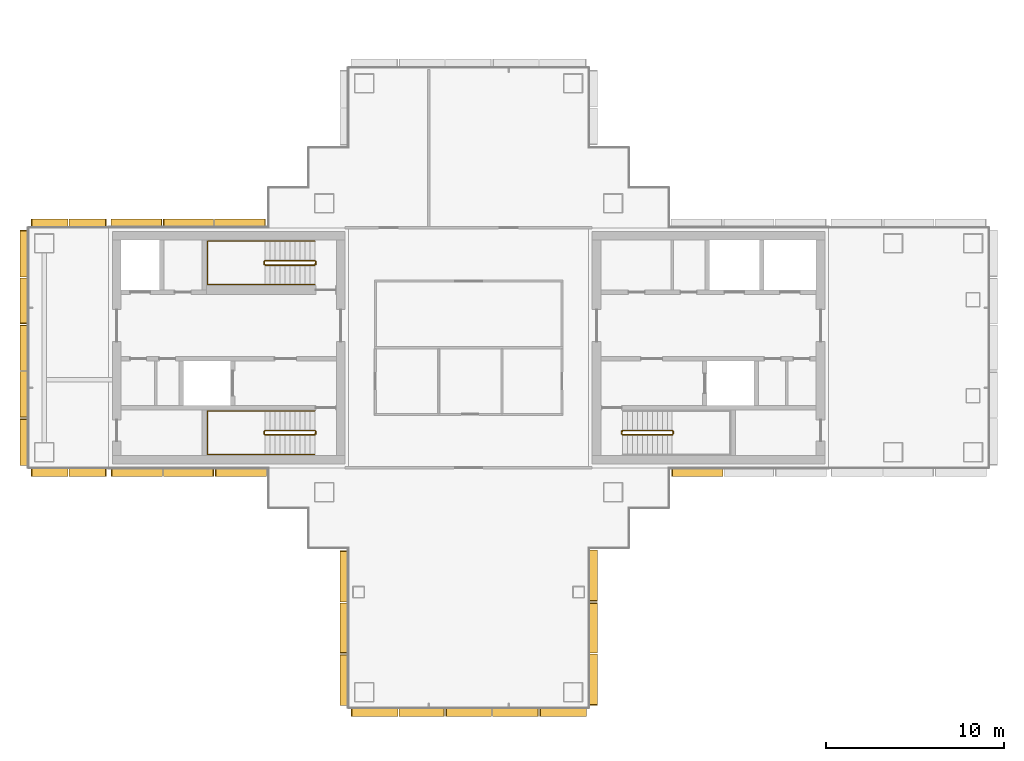
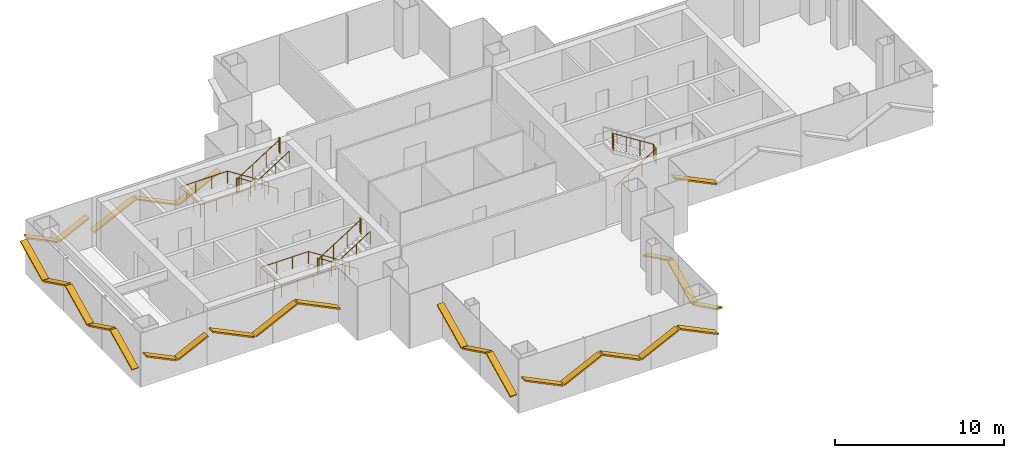
# One storey, part 14 of 16: 27 shading devices, 5 railings.
"""IFC4 building model written with IfcOpenShell, lengths in metres."""

from ifc_helpers import new_model, si_unit, direction, frame, origin, origin_2d, place, context, subcontext, project, spatial, rectangle, circle, extrude, material, material_profile, profile_set, type_object, element, save


model = new_model("IFC4")

# Units and contexts
model_context = context("Model", 3, precision=1e-05, world=origin(), true_north=direction((0.0, 1.0)))
body_context = subcontext(model_context, "Body", "Model", "MODEL_VIEW")
ifc_project = project(units=[si_unit("LENGTHUNIT", "METRE"), si_unit("AREAUNIT", "SQUARE_METRE"), si_unit("VOLUMEUNIT", "CUBIC_METRE"), si_unit("PLANEANGLEUNIT", "RADIAN"), si_unit("MASSUNIT", "GRAM", prefix="KILO")], contexts=[model_context])

# Site, building, storey
site_placement = place(None, origin())
site = spatial("IfcSite", under=ifc_project, at=site_placement, CompositionType="ELEMENT")
building_placement = place(site_placement, origin())
building = spatial("IfcBuilding", under=site, at=building_placement, Name="Shamsa Quay Exchange Towers", CompositionType="ELEMENT")
storey_placement = place(building_placement, frame((0.0, 0.0, 166.199951171875)))
storey = spatial("IfcBuildingStorey", under=building, at=storey_placement, Name="L39", CompositionType="ELEMENT", Elevation=166.199951171875)

# Shading devices
ifc_material_1 = material(Name="Aluminium EN AW-6063 T6, black anodised", Category="aluminium")
ifc_material_profile = material_profile(ifc_material_1, rectangle(XDim=0.449951171875, YDim=0.10009765625, at=origin_2d()), Name="FIN450x100")
ifc_profile_set = profile_set([ifc_material_profile], Name="Aluminium EN AW-6063 T6, black anodised")
shading_device_type = type_object("IfcShadingDeviceType", Name="FIN 450x100 BLACK ALUMINIUM", PredefinedType="USERDEFINED", material=ifc_profile_set)
shading_device_1_placement = place(storey_placement, frame((-40.764892578125, -11.43798828125, 2.2919921875), z_axis=(0.0, -0.898807091918, -0.438344398296), x_axis=(1.0, 0.0, 0.0)))
element("IfcShadingDevice", 1, at=shading_device_1_placement, inside=storey, type_object=shading_device_type, Name="FIN T1 chevron rib", ObjectType="FIN", PredefinedType="USERDEFINED", context=body_context, shape_type="SweptSolid", body=[
    extrude(rectangle(XDim=0.449951171875, YDim=0.10009765625, at=origin_2d()), origin(), (0.0, 0.0, 1.0), 3.15673828125),
])
shading_device_2_placement = place(storey_placement, frame((-40.764892578125, -14.375244140625, 0.92041015625), z_axis=(0.0, -0.898807785805, 0.438342975507), x_axis=(1.0, 0.0, 0.0)))
element("IfcShadingDevice", 2, at=shading_device_2_placement, inside=storey, type_object=shading_device_type, Name="FIN T1 chevron rib", ObjectType="FIN", PredefinedType="USERDEFINED", context=body_context, shape_type="SweptSolid", body=[
    extrude(rectangle(XDim=0.449951171875, YDim=0.10009765625, at=origin_2d()), origin(), (0.0, 0.0, 1.0), 3.10107421875),
])
shading_device_3_placement = place(storey_placement, frame((-40.764892578125, -17.2626953125, 2.2919921875), z_axis=(0.0, -0.898807091918, -0.438344398296), x_axis=(1.0, 0.0, 0.0)))
element("IfcShadingDevice", 3, at=shading_device_3_placement, inside=storey, type_object=shading_device_type, Name="FIN T1 chevron rib", ObjectType="FIN", PredefinedType="USERDEFINED", context=body_context, shape_type="SweptSolid", body=[
    extrude(rectangle(XDim=0.449951171875, YDim=0.10009765625, at=origin_2d()), origin(), (0.0, 0.0, 1.0), 3.15673828125),
])
shading_device_4_placement = place(storey_placement, frame((-40.35009765625, -20.514892578125, 2.231689453125), z_axis=(0.898805897141, 0.0, -0.43834684813), x_axis=(0.0, 1.0, 0.0)))
element("IfcShadingDevice", 4, at=shading_device_4_placement, inside=storey, type_object=shading_device_type, Name="FIN T1 chevron rib", ObjectType="FIN", PredefinedType="USERDEFINED", context=body_context, shape_type="SweptSolid", body=[
    extrude(rectangle(XDim=0.449951171875, YDim=0.10009765625, at=origin_2d()), origin(), (0.0, 0.0, 1.0), 2.881591796875),
])
shading_device_5_placement = place(storey_placement, frame((-37.659912109375, -20.514892578125, 0.980712890625), z_axis=(0.898790033474, 0.0, 0.438379374204), x_axis=(0.0, 1.0, 0.0)))
element("IfcShadingDevice", 5, at=shading_device_5_placement, inside=storey, type_object=shading_device_type, Name="FIN T1 chevron rib", ObjectType="FIN", PredefinedType="USERDEFINED", context=body_context, shape_type="SweptSolid", body=[
    extrude(rectangle(XDim=0.449951171875, YDim=0.10009765625, at=origin_2d()), origin(), (0.0, 0.0, 1.0), 2.82568359375),
])
shading_device_6_placement = place(storey_placement, frame((-35.02001953125, -20.514892578125, 2.219482421875), z_axis=(0.898806635049, 0.0, -0.438345335086), x_axis=(0.0, 1.0, 0.0)))
element("IfcShadingDevice", 6, at=shading_device_6_placement, inside=storey, type_object=shading_device_type, Name="FIN T1 chevron rib", ObjectType="FIN", PredefinedType="USERDEFINED", context=body_context, shape_type="SweptSolid", body=[
    extrude(rectangle(XDim=0.449951171875, YDim=0.10009765625, at=origin_2d()), origin(), (0.0, 0.0, 1.0), 2.825927734375),
])
shading_device_7_placement = place(storey_placement, frame((-32.3798828125, -20.514892578125, 0.980712890625), z_axis=(0.898790033474, 0.0, 0.438379374204), x_axis=(0.0, 1.0, 0.0)))
element("IfcShadingDevice", 7, at=shading_device_7_placement, inside=storey, type_object=shading_device_type, Name="FIN T1 chevron rib", ObjectType="FIN", PredefinedType="USERDEFINED", context=body_context, shape_type="SweptSolid", body=[
    extrude(rectangle(XDim=0.449951171875, YDim=0.10009765625, at=origin_2d()), origin(), (0.0, 0.0, 1.0), 2.82568359375),
])
shading_device_8_placement = place(storey_placement, frame((-29.739990234375, -20.514892578125, 2.231689453125), z_axis=(0.898805897141, 0.0, -0.43834684813), x_axis=(0.0, 1.0, 0.0)))
element("IfcShadingDevice", 8, at=shading_device_8_placement, inside=storey, type_object=shading_device_type, Name="FIN T1 chevron rib", ObjectType="FIN", PredefinedType="USERDEFINED", context=body_context, shape_type="SweptSolid", body=[
    extrude(rectangle(XDim=0.449951171875, YDim=0.10009765625, at=origin_2d()), origin(), (0.0, 0.0, 1.0), 2.881591796875),
])
shading_device_9_placement = place(storey_placement, frame((-26.735107421875, -20.10009765625, 2.295166015625), z_axis=(0.0, 0.898787683167, -0.438384192903), x_axis=(-1.0, 0.0, 0.0)))
element("IfcShadingDevice", 9, at=shading_device_9_placement, inside=storey, type_object=shading_device_type, Name="FIN T1 chevron rib", ObjectType="FIN", PredefinedType="USERDEFINED", context=body_context, shape_type="SweptSolid", body=[
    extrude(rectangle(XDim=0.449951171875, YDim=0.10009765625, at=origin_2d()), origin(), (0.0, 0.0, 1.0), 3.171142578125),
])
shading_device_10_placement = place(storey_placement, frame((-26.735107421875, -17.14990234375, 0.917236328125), z_axis=(0.0, 0.898772964899, 0.438414367427), x_axis=(-1.0, 0.0, 0.0)))
element("IfcShadingDevice", 10, at=shading_device_10_placement, inside=storey, type_object=shading_device_type, Name="FIN T1 chevron rib", ObjectType="FIN", PredefinedType="USERDEFINED", context=body_context, shape_type="SweptSolid", body=[
    extrude(rectangle(XDim=0.449951171875, YDim=0.10009765625, at=origin_2d()), origin(), (0.0, 0.0, 1.0), 3.115234375),
])
shading_device_11_placement = place(storey_placement, frame((-26.735107421875, -14.25, 2.295166015625), z_axis=(0.0, 0.898787683167, -0.438384192903), x_axis=(-1.0, 0.0, 0.0)))
element("IfcShadingDevice", 11, at=shading_device_11_placement, inside=storey, type_object=shading_device_type, Name="FIN T1 chevron rib", ObjectType="FIN", PredefinedType="USERDEFINED", context=body_context, shape_type="SweptSolid", body=[
    extrude(rectangle(XDim=0.449951171875, YDim=0.10009765625, at=origin_2d()), origin(), (0.0, 0.0, 1.0), 3.171142578125),
])
for number, where, z_axis, x_axis, name in (
    (12, (-22.31201171875, -7.01904296875, 2.2919921875), (0.898807091918, 0.0, -0.438344398296), (0.0, 1.0, 0.0), "FIN T1 chevron rib"),
    (13, (-45.18798828125, 7.01904296875, 2.2919921875), (-0.898807091918, 0.0, -0.438344398296), (0.0, -1.0, 0.0), "FIN T1 chevron rib"),
):
    element("IfcShadingDevice", number, at=place(storey_placement, frame(where, z_axis=z_axis, x_axis=x_axis)), inside=storey, type_object=shading_device_type, Name=name, ObjectType="FIN", PredefinedType="USERDEFINED", context=body_context, shape_type="SweptSolid", body=[
        extrude(rectangle(XDim=0.449951171875, YDim=0.10009765625, at=origin_2d()), origin(), (0.0, 0.0, 1.0), 3.15673828125),
    ])
shading_device_12_placement = place(storey_placement, frame((-48.125244140625, 7.01904296875, 0.92041015625), z_axis=(-0.898807785805, 0.0, 0.438342975507), x_axis=(0.0, -1.0, 0.0)))
element("IfcShadingDevice", 14, at=shading_device_12_placement, inside=storey, type_object=shading_device_type, Name="FIN T1 chevron rib", ObjectType="FIN", PredefinedType="USERDEFINED", context=body_context, shape_type="SweptSolid", body=[
    extrude(rectangle(XDim=0.449951171875, YDim=0.10009765625, at=origin_2d()), origin(), (0.0, 0.0, 1.0), 3.10107421875),
])
shading_device_13_placement = place(storey_placement, frame((-51.0126953125, 7.01904296875, 2.2919921875), z_axis=(-0.898807091918, 0.0, -0.438344398296), x_axis=(0.0, -1.0, 0.0)))
element("IfcShadingDevice", 15, at=shading_device_13_placement, inside=storey, type_object=shading_device_type, Name="FIN T1 chevron rib", ObjectType="FIN", PredefinedType="USERDEFINED", context=body_context, shape_type="SweptSolid", body=[
    extrude(rectangle(XDim=0.449951171875, YDim=0.10009765625, at=origin_2d()), origin(), (0.0, 0.0, 1.0), 3.15673828125),
])
for number, where, z_axis, x_axis, name in (
    (16, (-54.14990234375, 7.014892578125, 2.099853515625), (-0.898814733754, 0.0, -0.43832872868), (0.0, -1.0, 0.0), "FIN T1 chevron rib"),
    (17, (-56.300048828125, 7.014892578125, 1.10009765625), (-0.898814733754, 0.0, 0.43832872868), (0.0, -1.0, 0.0), "FIN T1 chevron rib"),
):
    element("IfcShadingDevice", number, at=place(storey_placement, frame(where, z_axis=z_axis, x_axis=x_axis)), inside=storey, type_object=shading_device_type, Name=name, ObjectType="FIN", PredefinedType="USERDEFINED", context=body_context, shape_type="SweptSolid", body=[
        extrude(rectangle(XDim=0.449951171875, YDim=0.10009765625, at=origin_2d()), origin(), (0.0, 0.0, 1.0), 2.28076171875),
    ])
shading_device_14_placement = place(storey_placement, frame((-58.764892578125, 6.60009765625, 2.231689453125), z_axis=(0.0, -0.898805897141, -0.43834684813), x_axis=(1.0, 0.0, 0.0)))
element("IfcShadingDevice", 18, at=shading_device_14_placement, inside=storey, type_object=shading_device_type, Name="FIN T1 chevron rib", ObjectType="FIN", PredefinedType="USERDEFINED", context=body_context, shape_type="SweptSolid", body=[
    extrude(rectangle(XDim=0.449951171875, YDim=0.10009765625, at=origin_2d()), origin(), (0.0, 0.0, 1.0), 2.881591796875),
])
shading_device_15_placement = place(storey_placement, frame((-58.764892578125, 3.909912109375, 0.980712890625), z_axis=(0.0, -0.898790033474, 0.438379374204), x_axis=(1.0, 0.0, 0.0)))
element("IfcShadingDevice", 19, at=shading_device_15_placement, inside=storey, type_object=shading_device_type, Name="FIN T1 chevron rib", ObjectType="FIN", PredefinedType="USERDEFINED", context=body_context, shape_type="SweptSolid", body=[
    extrude(rectangle(XDim=0.449951171875, YDim=0.10009765625, at=origin_2d()), origin(), (0.0, 0.0, 1.0), 2.82568359375),
])
shading_device_16_placement = place(storey_placement, frame((-58.764892578125, 1.27001953125, 2.219482421875), z_axis=(0.0, -0.898806635049, -0.438345335086), x_axis=(1.0, 0.0, 0.0)))
element("IfcShadingDevice", 20, at=shading_device_16_placement, inside=storey, type_object=shading_device_type, Name="FIN T1 chevron rib", ObjectType="FIN", PredefinedType="USERDEFINED", context=body_context, shape_type="SweptSolid", body=[
    extrude(rectangle(XDim=0.449951171875, YDim=0.10009765625, at=origin_2d()), origin(), (0.0, 0.0, 1.0), 2.825927734375),
])
shading_device_17_placement = place(storey_placement, frame((-58.764892578125, -1.3701171875, 0.980712890625), z_axis=(0.0, -0.898790033474, 0.438379374204), x_axis=(1.0, 0.0, 0.0)))
element("IfcShadingDevice", 21, at=shading_device_17_placement, inside=storey, type_object=shading_device_type, Name="FIN T1 chevron rib", ObjectType="FIN", PredefinedType="USERDEFINED", context=body_context, shape_type="SweptSolid", body=[
    extrude(rectangle(XDim=0.449951171875, YDim=0.10009765625, at=origin_2d()), origin(), (0.0, 0.0, 1.0), 2.82568359375),
])
shading_device_18_placement = place(storey_placement, frame((-58.764892578125, -4.010009765625, 2.231689453125), z_axis=(0.0, -0.898805897141, -0.43834684813), x_axis=(1.0, 0.0, 0.0)))
element("IfcShadingDevice", 22, at=shading_device_18_placement, inside=storey, type_object=shading_device_type, Name="FIN T1 chevron rib", ObjectType="FIN", PredefinedType="USERDEFINED", context=body_context, shape_type="SweptSolid", body=[
    extrude(rectangle(XDim=0.449951171875, YDim=0.10009765625, at=origin_2d()), origin(), (0.0, 0.0, 1.0), 2.881591796875),
])
for number, where, z_axis, x_axis, name in (
    (23, (-58.35009765625, -7.014892578125, 2.099853515625), (0.898814733754, 0.0, -0.43832872868), (0.0, 1.0, 0.0), "FIN T1 chevron rib"),
    (24, (-56.199951171875, -7.014892578125, 1.10009765625), (0.898814733754, 0.0, 0.43832872868), (0.0, 1.0, 0.0), "FIN T1 chevron rib"),
):
    element("IfcShadingDevice", number, at=place(storey_placement, frame(where, z_axis=z_axis, x_axis=x_axis)), inside=storey, type_object=shading_device_type, Name=name, ObjectType="FIN", PredefinedType="USERDEFINED", context=body_context, shape_type="SweptSolid", body=[
        extrude(rectangle(XDim=0.449951171875, YDim=0.10009765625, at=origin_2d()), origin(), (0.0, 0.0, 1.0), 2.28076171875),
    ])
shading_device_19_placement = place(storey_placement, frame((-53.85009765625, -7.01904296875, 2.295166015625), z_axis=(0.898787683167, 0.0, -0.438384192903), x_axis=(0.0, 1.0, 0.0)))
element("IfcShadingDevice", 25, at=shading_device_19_placement, inside=storey, type_object=shading_device_type, Name="FIN T1 chevron rib", ObjectType="FIN", PredefinedType="USERDEFINED", context=body_context, shape_type="SweptSolid", body=[
    extrude(rectangle(XDim=0.449951171875, YDim=0.10009765625, at=origin_2d()), origin(), (0.0, 0.0, 1.0), 3.171142578125),
])
shading_device_20_placement = place(storey_placement, frame((-50.89990234375, -7.01904296875, 0.917236328125), z_axis=(0.898772964899, 0.0, 0.438414367427), x_axis=(0.0, 1.0, 0.0)))
element("IfcShadingDevice", 26, at=shading_device_20_placement, inside=storey, type_object=shading_device_type, Name="FIN T1 chevron rib", ObjectType="FIN", PredefinedType="USERDEFINED", context=body_context, shape_type="SweptSolid", body=[
    extrude(rectangle(XDim=0.449951171875, YDim=0.10009765625, at=origin_2d()), origin(), (0.0, 0.0, 1.0), 3.115234375),
])
shading_device_21_placement = place(storey_placement, frame((-48.0, -7.01904296875, 2.295166015625), z_axis=(0.898787683167, 0.0, -0.438384192903), x_axis=(0.0, 1.0, 0.0)))
element("IfcShadingDevice", 27, at=shading_device_21_placement, inside=storey, type_object=shading_device_type, Name="FIN T1 chevron rib", ObjectType="FIN", PredefinedType="USERDEFINED", context=body_context, shape_type="SweptSolid", body=[
    extrude(rectangle(XDim=0.449951171875, YDim=0.10009765625, at=origin_2d()), origin(), (0.0, 0.0, 1.0), 3.171142578125),
])

# Railings
ifc_material_2 = material(Name="Stainless steel", Category="steel")
railing_type_1 = type_object("IfcRailingType", Name="STAIR GUARD 1100", PredefinedType="GUARDRAIL", material=ifc_material_2)
railing_1_placement = place(storey_placement, frame((-25.10009765625, -4.89990234375, 0.17724609375)))
element("IfcRailing", 28, at=railing_1_placement, inside=storey, type_object=railing_type_1, Name="L39 ST1 stair guard 1", PredefinedType="GUARDRAIL", context=body_context, shape_type="SweptSolid", body=[
    extrude(circle(Radius=0.02392578125, at=origin_2d()), frame((0.0, 0.0, 1.076171875), z_axis=(0.844908973607, 0.0, 0.534910110503), x_axis=(0.0, 1.0, 0.0)), (0.0, 0.0, 1.0), 3.31396484375),
    extrude(circle(Radius=0.02392578125, at=origin_2d()), frame((2.800048828125, 0.0, 2.8486328125), z_axis=(0.708833529934, 0.705375805398, 0.0), x_axis=(-0.705375805398, 0.708833529934, 0.0)), (0.0, 0.0, 1.0), 0.070556640625),
    extrude(circle(Radius=0.02392578125, at=origin_2d()), frame((2.85009765625, 0.0498046875, 2.8486328125), z_axis=(0.0, 1.0, 0.0), x_axis=(-1.0, 0.0, 0.0)), (0.0, 0.0, 1.0), 0.150146484375),
    extrude(circle(Radius=0.02392578125, at=origin_2d()), frame((2.85009765625, 0.199951171875, 2.8486328125), z_axis=(-0.261922500866, 0.261922500866, 0.928866625022), x_axis=(-0.707106781187, -0.707106781187, 0.0)), (0.0, 0.0, 1.0), 0.191162109375),
    extrude(circle(Radius=0.02392578125, at=origin_2d()), frame((2.800048828125, 0.25, 3.0263671875), z_axis=(-0.844908973607, 0.0, 0.534910110503), x_axis=(0.0, -1.0, 0.0)), (0.0, 0.0, 1.0), 3.31396484375),
    extrude(circle(Radius=0.02392578125, at=origin_2d()), frame((0.0, 0.25, 4.798828125), z_axis=(-0.24142163986, -0.970420317083, 0.0), x_axis=(0.970420317083, -0.24142163986, 0.0)), (0.0, 0.0, 1.0), 0.206298828125),
    extrude(circle(Radius=0.02392578125, at=origin_2d()), frame((-0.0498046875, 0.0498046875, 4.798828125), z_axis=(0.0, 1.0, 0.0), x_axis=(-1.0, 0.0, 0.0)), (0.0, 0.0, 1.0), 0.150146484375),
    extrude(circle(Radius=0.02099609375, at=origin_2d()), origin(), (0.0, 0.0, 1.0), 1.052001953125),
    extrude(circle(Radius=0.02099609375, at=origin_2d()), frame((0.933349609375, 0.0, 0.5908203125)), (0.0, 0.0, 1.0), 1.052001953125),
    extrude(circle(Radius=0.02099609375, at=origin_2d()), frame((1.86669921875, 0.0, 1.181884765625)), (0.0, 0.0, 1.0), 1.052001953125),
    extrude(circle(Radius=0.02099609375, at=origin_2d()), frame((2.800048828125, 0.0, 1.772705078125)), (0.0, 0.0, 1.0), 1.052001953125),
    extrude(circle(Radius=0.02099609375, at=origin_2d()), frame((2.85009765625, 0.0498046875, 1.772705078125)), (0.0, 0.0, 1.0), 1.052001953125),
    extrude(circle(Radius=0.02099609375, at=origin_2d()), frame((2.85009765625, 0.199951171875, 1.772705078125)), (0.0, 0.0, 1.0), 1.052001953125),
    extrude(circle(Radius=0.02099609375, at=origin_2d()), frame((2.800048828125, 0.25, 1.9501953125)), (0.0, 0.0, 1.0), 1.052001953125),
    extrude(circle(Radius=0.02099609375, at=origin_2d()), frame((1.86669921875, 0.25, 2.541015625)), (0.0, 0.0, 1.0), 1.052001953125),
    extrude(circle(Radius=0.02099609375, at=origin_2d()), frame((0.933349609375, 0.25, 3.132080078125)), (0.0, 0.0, 1.0), 1.052001953125),
    extrude(circle(Radius=0.02099609375, at=origin_2d()), frame((0.0, 0.25, 3.722900390625)), (0.0, 0.0, 1.0), 1.052001953125),
    extrude(circle(Radius=0.02099609375, at=origin_2d()), frame((-0.0498046875, 0.0498046875, 3.722900390625)), (0.0, 0.0, 1.0), 1.052001953125),
    extrude(circle(Radius=0.02099609375, at=origin_2d()), frame((-0.0498046875, 0.199951171875, 3.722900390625)), (0.0, 0.0, 1.0), 1.052001953125),
])
railing_2_placement = place(storey_placement, frame((-42.39990234375, -4.64990234375, 0.17724609375)))
element("IfcRailing", 29, at=railing_2_placement, inside=storey, type_object=railing_type_1, Name="L39 ST2 stair guard 1", PredefinedType="GUARDRAIL", context=body_context, shape_type="SweptSolid", body=[
    extrude(circle(Radius=0.02392578125, at=origin_2d()), frame((0.0, 0.0, 1.076171875), z_axis=(-0.844908973607, 0.0, 0.534910110503), x_axis=(0.0, -1.0, 0.0)), (0.0, 0.0, 1.0), 3.31396484375),
    extrude(circle(Radius=0.02392578125, at=origin_2d()), frame((-2.800048828125, 0.0, 2.8486328125), z_axis=(-0.707106781187, -0.707106781187, 0.0), x_axis=(0.707106781187, -0.707106781187, 0.0)), (0.0, 0.0, 1.0), 0.07080078125),
    extrude(circle(Radius=0.02392578125, at=origin_2d()), frame((-2.85009765625, -0.050048828125, 2.8486328125), z_axis=(0.0, -1.0, 0.0), x_axis=(1.0, 0.0, 0.0)), (0.0, 0.0, 1.0), 0.150146484375),
    extrude(circle(Radius=0.02392578125, at=origin_2d()), frame((-2.85009765625, -0.2001953125, 2.8486328125), z_axis=(0.262009983441, -0.260731885961, 0.929176868105), x_axis=(0.705375805398, 0.708833529934, 0.0)), (0.0, 0.0, 1.0), 0.19091796875),
    extrude(circle(Radius=0.02392578125, at=origin_2d()), frame((-2.800048828125, -0.25, 3.0263671875), z_axis=(0.844908973607, 0.0, 0.534910110503), x_axis=(0.0, 1.0, 0.0)), (0.0, 0.0, 1.0), 3.31396484375),
    extrude(circle(Radius=0.02392578125, at=origin_2d()), frame((0.0, -0.25, 4.798828125), z_axis=(0.241699205484, 0.970351222016, 0.0), x_axis=(-0.970351222016, 0.241699205484, 0.0)), (0.0, 0.0, 1.0), 0.2060546875),
    extrude(circle(Radius=0.02392578125, at=origin_2d()), frame((0.0498046875, -0.050048828125, 4.798828125), z_axis=(0.0, -1.0, 0.0), x_axis=(1.0, 0.0, 0.0)), (0.0, 0.0, 1.0), 0.150146484375),
    extrude(circle(Radius=0.02099609375, at=origin_2d()), origin(), (0.0, 0.0, 1.0), 1.052001953125),
    extrude(circle(Radius=0.02099609375, at=origin_2d()), frame((-0.933349609375, 0.0, 0.5908203125)), (0.0, 0.0, 1.0), 1.052001953125),
    extrude(circle(Radius=0.02099609375, at=origin_2d()), frame((-1.86669921875, 0.0, 1.181884765625)), (0.0, 0.0, 1.0), 1.052001953125),
    extrude(circle(Radius=0.02099609375, at=origin_2d()), frame((-2.800048828125, 0.0, 1.772705078125)), (0.0, 0.0, 1.0), 1.052001953125),
    extrude(circle(Radius=0.02099609375, at=origin_2d()), frame((-2.85009765625, -0.050048828125, 1.772705078125)), (0.0, 0.0, 1.0), 1.052001953125),
    extrude(circle(Radius=0.02099609375, at=origin_2d()), frame((-2.85009765625, -0.2001953125, 1.772705078125)), (0.0, 0.0, 1.0), 1.052001953125),
    extrude(circle(Radius=0.02099609375, at=origin_2d()), frame((-2.800048828125, -0.25, 1.9501953125)), (0.0, 0.0, 1.0), 1.052001953125),
    extrude(circle(Radius=0.02099609375, at=origin_2d()), frame((-1.86669921875, -0.25, 2.541015625)), (0.0, 0.0, 1.0), 1.052001953125),
    extrude(circle(Radius=0.02099609375, at=origin_2d()), frame((-0.933349609375, -0.25, 3.132080078125)), (0.0, 0.0, 1.0), 1.052001953125),
    extrude(circle(Radius=0.02099609375, at=origin_2d()), frame((0.0, -0.25, 3.722900390625)), (0.0, 0.0, 1.0), 1.052001953125),
    extrude(circle(Radius=0.02099609375, at=origin_2d()), frame((0.0498046875, -0.050048828125, 3.722900390625)), (0.0, 0.0, 1.0), 1.052001953125),
    extrude(circle(Radius=0.02099609375, at=origin_2d()), frame((0.0498046875, -0.2001953125, 3.722900390625)), (0.0, 0.0, 1.0), 1.052001953125),
])
railing_3_placement = place(storey_placement, frame((-42.39990234375, 4.89990234375, 0.17724609375)))
element("IfcRailing", 30, at=railing_3_placement, inside=storey, type_object=railing_type_1, Name="L39 ST3 stair guard 1", PredefinedType="GUARDRAIL", context=body_context, shape_type="SweptSolid", body=[
    extrude(circle(Radius=0.02392578125, at=origin_2d()), frame((0.0, 0.0, 1.076171875), z_axis=(-0.844908973607, 0.0, 0.534910110503), x_axis=(0.0, -1.0, 0.0)), (0.0, 0.0, 1.0), 3.31396484375),
    extrude(circle(Radius=0.02392578125, at=origin_2d()), frame((-2.800048828125, 0.0, 2.8486328125), z_axis=(-0.708833529934, -0.705375805398, 0.0), x_axis=(0.705375805398, -0.708833529934, 0.0)), (0.0, 0.0, 1.0), 0.070556640625),
    extrude(circle(Radius=0.02392578125, at=origin_2d()), frame((-2.85009765625, -0.0498046875, 2.8486328125), z_axis=(0.0, -1.0, 0.0), x_axis=(1.0, 0.0, 0.0)), (0.0, 0.0, 1.0), 0.150146484375),
    extrude(circle(Radius=0.02392578125, at=origin_2d()), frame((-2.85009765625, -0.199951171875, 2.8486328125), z_axis=(0.261922500866, -0.261922500866, 0.928866625022), x_axis=(0.707106781187, 0.707106781187, 0.0)), (0.0, 0.0, 1.0), 0.191162109375),
    extrude(circle(Radius=0.02392578125, at=origin_2d()), frame((-2.800048828125, -0.25, 3.0263671875), z_axis=(0.844908973607, 0.0, 0.534910110503), x_axis=(0.0, 1.0, 0.0)), (0.0, 0.0, 1.0), 3.31396484375),
    extrude(circle(Radius=0.02392578125, at=origin_2d()), frame((0.0, -0.25, 4.798828125), z_axis=(0.24142163986, 0.970420317083, 0.0), x_axis=(-0.970420317083, 0.24142163986, 0.0)), (0.0, 0.0, 1.0), 0.206298828125),
    extrude(circle(Radius=0.02392578125, at=origin_2d()), frame((0.0498046875, -0.0498046875, 4.798828125), z_axis=(0.0, -1.0, 0.0), x_axis=(1.0, 0.0, 0.0)), (0.0, 0.0, 1.0), 0.150146484375),
    extrude(circle(Radius=0.02099609375, at=origin_2d()), origin(), (0.0, 0.0, 1.0), 1.052001953125),
    extrude(circle(Radius=0.02099609375, at=origin_2d()), frame((-0.933349609375, 0.0, 0.5908203125)), (0.0, 0.0, 1.0), 1.052001953125),
    extrude(circle(Radius=0.02099609375, at=origin_2d()), frame((-1.86669921875, 0.0, 1.181884765625)), (0.0, 0.0, 1.0), 1.052001953125),
    extrude(circle(Radius=0.02099609375, at=origin_2d()), frame((-2.800048828125, 0.0, 1.772705078125)), (0.0, 0.0, 1.0), 1.052001953125),
    extrude(circle(Radius=0.02099609375, at=origin_2d()), frame((-2.85009765625, -0.0498046875, 1.772705078125)), (0.0, 0.0, 1.0), 1.052001953125),
    extrude(circle(Radius=0.02099609375, at=origin_2d()), frame((-2.85009765625, -0.199951171875, 1.772705078125)), (0.0, 0.0, 1.0), 1.052001953125),
    extrude(circle(Radius=0.02099609375, at=origin_2d()), frame((-2.800048828125, -0.25, 1.9501953125)), (0.0, 0.0, 1.0), 1.052001953125),
    extrude(circle(Radius=0.02099609375, at=origin_2d()), frame((-1.86669921875, -0.25, 2.541015625)), (0.0, 0.0, 1.0), 1.052001953125),
    extrude(circle(Radius=0.02099609375, at=origin_2d()), frame((-0.933349609375, -0.25, 3.132080078125)), (0.0, 0.0, 1.0), 1.052001953125),
    extrude(circle(Radius=0.02099609375, at=origin_2d()), frame((0.0, -0.25, 3.722900390625)), (0.0, 0.0, 1.0), 1.052001953125),
    extrude(circle(Radius=0.02099609375, at=origin_2d()), frame((0.0498046875, -0.0498046875, 3.722900390625)), (0.0, 0.0, 1.0), 1.052001953125),
    extrude(circle(Radius=0.02099609375, at=origin_2d()), frame((0.0498046875, -0.199951171875, 3.722900390625)), (0.0, 0.0, 1.0), 1.052001953125),
])
railing_type_2 = type_object("IfcRailingType", Name="STAIR HANDRAIL 900", PredefinedType="HANDRAIL", material=ifc_material_2)
railing_4_placement = place(storey_placement, frame((-42.39990234375, -3.550048828125, 0.17724609375)))
element("IfcRailing", 31, at=railing_4_placement, inside=storey, type_object=railing_type_2, Name="L39 ST2 stair handrail 1", PredefinedType="HANDRAIL", context=body_context, shape_type="SweptSolid", body=[
    extrude(circle(Radius=0.02392578125, at=origin_2d()), frame((0.0, 0.0, 0.8759765625), z_axis=(-0.844908973607, 0.0, 0.534910110503), x_axis=(0.0, -1.0, 0.0)), (0.0, 0.0, 1.0), 3.31396484375),
    extrude(circle(Radius=0.02392578125, at=origin_2d()), frame((-2.800048828125, 0.0, 2.6484375), z_axis=(-1.0, 0.0, 0.0), x_axis=(0.0, -1.0, 0.0)), (0.0, 0.0, 1.0), 3.25),
    extrude(circle(Radius=0.02392578125, at=origin_2d()), frame((-6.050048828125, 0.0, 2.6484375), z_axis=(0.0, -0.997386041853, 0.072257065513), x_axis=(1.0, 0.0, 0.0)), (0.0, 0.0, 1.0), 2.456298828125),
    extrude(circle(Radius=0.02392578125, at=origin_2d()), frame((-6.050048828125, -2.449951171875, 2.826171875), z_axis=(1.0, 0.0, 0.0), x_axis=(0.0, 1.0, 0.0)), (0.0, 0.0, 1.0), 3.25),
    extrude(circle(Radius=0.02392578125, at=origin_2d()), frame((-2.800048828125, -2.449951171875, 2.826171875), z_axis=(0.844908973607, 0.0, 0.534910110503), x_axis=(0.0, 1.0, 0.0)), (0.0, 0.0, 1.0), 3.31396484375),
    extrude(circle(Radius=0.02099609375, at=origin_2d()), origin(), (0.0, 0.0, 1.0), 0.851806640625),
    extrude(circle(Radius=0.02099609375, at=origin_2d()), frame((-0.933349609375, 0.0, 0.5908203125)), (0.0, 0.0, 1.0), 0.851806640625),
    extrude(circle(Radius=0.02099609375, at=origin_2d()), frame((-1.86669921875, 0.0, 1.181884765625)), (0.0, 0.0, 1.0), 0.851806640625),
    extrude(circle(Radius=0.02099609375, at=origin_2d()), frame((-2.800048828125, 0.0, 1.772705078125)), (0.0, 0.0, 1.0), 0.851806640625),
    extrude(circle(Radius=0.02099609375, at=origin_2d()), frame((-3.88330078125, 0.0, 1.772705078125)), (0.0, 0.0, 1.0), 0.851806640625),
    extrude(circle(Radius=0.02099609375, at=origin_2d()), frame((-4.966796875, 0.0, 1.772705078125)), (0.0, 0.0, 1.0), 0.851806640625),
    extrude(circle(Radius=0.02099609375, at=origin_2d()), frame((-6.050048828125, 0.0, 1.772705078125)), (0.0, 0.0, 1.0), 0.851806640625),
    extrude(circle(Radius=0.02099609375, at=origin_2d()), frame((-6.050048828125, -0.816650390625, 1.831787109375)), (0.0, 0.0, 1.0), 0.851806640625),
    extrude(circle(Radius=0.02099609375, at=origin_2d()), frame((-6.050048828125, -1.63330078125, 1.89111328125)), (0.0, 0.0, 1.0), 0.851806640625),
    extrude(circle(Radius=0.02099609375, at=origin_2d()), frame((-6.050048828125, -2.449951171875, 1.9501953125)), (0.0, 0.0, 1.0), 0.851806640625),
    extrude(circle(Radius=0.02099609375, at=origin_2d()), frame((-4.966796875, -2.449951171875, 1.9501953125)), (0.0, 0.0, 1.0), 0.851806640625),
    extrude(circle(Radius=0.02099609375, at=origin_2d()), frame((-3.88330078125, -2.449951171875, 1.9501953125)), (0.0, 0.0, 1.0), 0.851806640625),
    extrude(circle(Radius=0.02099609375, at=origin_2d()), frame((-2.800048828125, -2.449951171875, 1.9501953125)), (0.0, 0.0, 1.0), 0.851806640625),
    extrude(circle(Radius=0.02099609375, at=origin_2d()), frame((-1.86669921875, -2.449951171875, 2.541015625)), (0.0, 0.0, 1.0), 0.851806640625),
    extrude(circle(Radius=0.02099609375, at=origin_2d()), frame((-0.933349609375, -2.449951171875, 3.132080078125)), (0.0, 0.0, 1.0), 0.851806640625),
    extrude(circle(Radius=0.02099609375, at=origin_2d()), frame((0.0, -2.449951171875, 3.722900390625)), (0.0, 0.0, 1.0), 0.851806640625),
])
railing_5_placement = place(storey_placement, frame((-42.39990234375, 6.0, 0.17724609375)))
element("IfcRailing", 32, at=railing_5_placement, inside=storey, type_object=railing_type_2, Name="L39 ST3 stair handrail 1", PredefinedType="HANDRAIL", context=body_context, shape_type="SweptSolid", body=[
    extrude(circle(Radius=0.02392578125, at=origin_2d()), frame((0.0, 0.0, 0.8759765625), z_axis=(-0.844908973607, 0.0, 0.534910110503), x_axis=(0.0, -1.0, 0.0)), (0.0, 0.0, 1.0), 3.31396484375),
    extrude(circle(Radius=0.02392578125, at=origin_2d()), frame((-2.800048828125, 0.0, 2.6484375), z_axis=(-1.0, 0.0, 0.0), x_axis=(0.0, -1.0, 0.0)), (0.0, 0.0, 1.0), 3.25),
    extrude(circle(Radius=0.02392578125, at=origin_2d()), frame((-6.050048828125, 0.0, 2.6484375), z_axis=(0.0, -0.997386041853, 0.072257065513), x_axis=(1.0, 0.0, 0.0)), (0.0, 0.0, 1.0), 2.456298828125),
    extrude(circle(Radius=0.02392578125, at=origin_2d()), frame((-6.050048828125, -2.449951171875, 2.826171875), z_axis=(1.0, 0.0, 0.0), x_axis=(0.0, 1.0, 0.0)), (0.0, 0.0, 1.0), 3.25),
    extrude(circle(Radius=0.02392578125, at=origin_2d()), frame((-2.800048828125, -2.449951171875, 2.826171875), z_axis=(0.844908973607, 0.0, 0.534910110503), x_axis=(0.0, 1.0, 0.0)), (0.0, 0.0, 1.0), 3.31396484375),
    extrude(circle(Radius=0.02099609375, at=origin_2d()), origin(), (0.0, 0.0, 1.0), 0.851806640625),
    extrude(circle(Radius=0.02099609375, at=origin_2d()), frame((-0.933349609375, 0.0, 0.5908203125)), (0.0, 0.0, 1.0), 0.851806640625),
    extrude(circle(Radius=0.02099609375, at=origin_2d()), frame((-1.86669921875, 0.0, 1.181884765625)), (0.0, 0.0, 1.0), 0.851806640625),
    extrude(circle(Radius=0.02099609375, at=origin_2d()), frame((-2.800048828125, 0.0, 1.772705078125)), (0.0, 0.0, 1.0), 0.851806640625),
    extrude(circle(Radius=0.02099609375, at=origin_2d()), frame((-3.88330078125, 0.0, 1.772705078125)), (0.0, 0.0, 1.0), 0.851806640625),
    extrude(circle(Radius=0.02099609375, at=origin_2d()), frame((-4.966796875, 0.0, 1.772705078125)), (0.0, 0.0, 1.0), 0.851806640625),
    extrude(circle(Radius=0.02099609375, at=origin_2d()), frame((-6.050048828125, 0.0, 1.772705078125)), (0.0, 0.0, 1.0), 0.851806640625),
    extrude(circle(Radius=0.02099609375, at=origin_2d()), frame((-6.050048828125, -0.816650390625, 1.831787109375)), (0.0, 0.0, 1.0), 0.851806640625),
    extrude(circle(Radius=0.02099609375, at=origin_2d()), frame((-6.050048828125, -1.63330078125, 1.89111328125)), (0.0, 0.0, 1.0), 0.851806640625),
    extrude(circle(Radius=0.02099609375, at=origin_2d()), frame((-6.050048828125, -2.449951171875, 1.9501953125)), (0.0, 0.0, 1.0), 0.851806640625),
    extrude(circle(Radius=0.02099609375, at=origin_2d()), frame((-4.966796875, -2.449951171875, 1.9501953125)), (0.0, 0.0, 1.0), 0.851806640625),
    extrude(circle(Radius=0.02099609375, at=origin_2d()), frame((-3.88330078125, -2.449951171875, 1.9501953125)), (0.0, 0.0, 1.0), 0.851806640625),
    extrude(circle(Radius=0.02099609375, at=origin_2d()), frame((-2.800048828125, -2.449951171875, 1.9501953125)), (0.0, 0.0, 1.0), 0.851806640625),
    extrude(circle(Radius=0.02099609375, at=origin_2d()), frame((-1.86669921875, -2.449951171875, 2.541015625)), (0.0, 0.0, 1.0), 0.851806640625),
    extrude(circle(Radius=0.02099609375, at=origin_2d()), frame((-0.933349609375, -2.449951171875, 3.132080078125)), (0.0, 0.0, 1.0), 0.851806640625),
    extrude(circle(Radius=0.02099609375, at=origin_2d()), frame((0.0, -2.449951171875, 3.722900390625)), (0.0, 0.0, 1.0), 0.851806640625),
])

save(model, "model.ifc")
